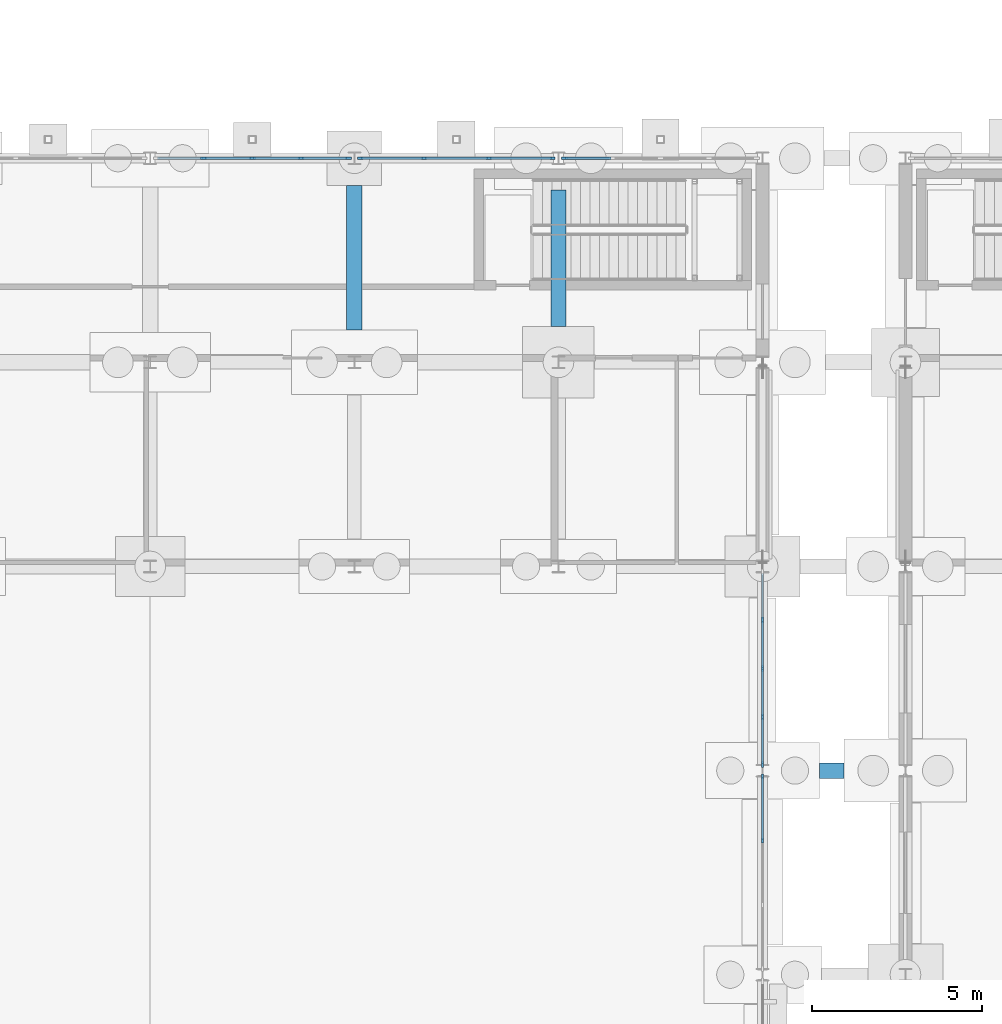
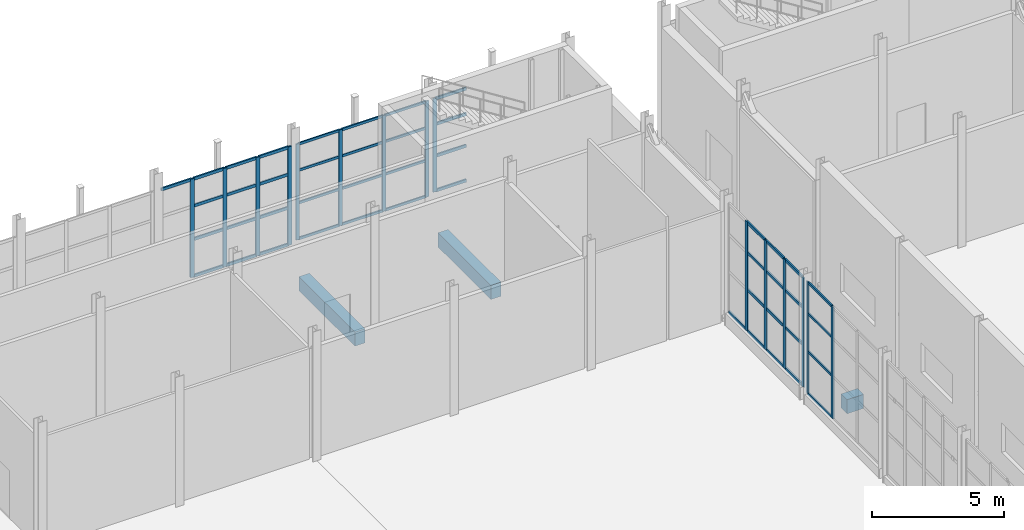
# One storey, part 36 of 120: 61 members, 3 beams, 5 elements without a shape of their own.
"""IFC4 building model written with IfcOpenShell, lengths in metres."""

from ifc_helpers import new_model, si_unit, direction, frame, origin, origin_2d, place, context, subcontext, project, spatial, rectangle, extrude, material, material_profile, profile_set, type_object, element, aggregate, save


model = new_model("IFC4")

# Units and contexts
model_context = context("Model", 3, precision=1e-05, world=origin(), true_north=direction((0.0, 1.0)))
body_context = subcontext(model_context, "Body", "Model", "MODEL_VIEW")
ifc_project = project(units=[si_unit("LENGTHUNIT", "METRE"), si_unit("AREAUNIT", "SQUARE_METRE"), si_unit("VOLUMEUNIT", "CUBIC_METRE"), si_unit("PLANEANGLEUNIT", "RADIAN"), si_unit("MASSUNIT", "GRAM", prefix="KILO")], contexts=[model_context])

# Site, building, storey
site_placement = place(None, origin())
site = spatial("IfcSite", under=ifc_project, at=site_placement, CompositionType="ELEMENT")
building_placement = place(site_placement, origin())
building = spatial("IfcBuilding", under=site, at=building_placement, Name="Siltcreek Boulevard Central Fire Station", CompositionType="ELEMENT")
storey_placement = place(building_placement, origin())
storey = spatial("IfcBuildingStorey", under=building, at=storey_placement, Name="L01", CompositionType="ELEMENT", Elevation=0.0)

# Curtain wall, members
ifc_material_1 = material(Name="Anodized aluminum and low-E insulated glazing", Category="aluminium")
curtain_wall_type_1 = type_object("IfcCurtainWallType", Name="CW_SYS_04", PredefinedType="USERDEFINED", material=ifc_material_1)
curtain_wall_1_placement = place(storey_placement, origin())
curtain_wall_1 = element("IfcCurtainWall", 1, at=curtain_wall_1_placement, inside=storey, type_object=curtain_wall_type_1, Name="L01 V4 unitised curtain wall CW-093", ObjectType="CURTAIN WALL", PredefinedType="USERDEFINED")
ifc_material_2 = material(Name="Anodized 6063-T6 aluminum framing", Category="aluminium")
ifc_material_profile_1 = material_profile(ifc_material_2, rectangle(XDim=0.06005859375, YDim=0.14990234375, at=origin_2d()), Name="MULL60X150")
ifc_profile_set_1 = profile_set([ifc_material_profile_1], Name="Anodized 6063-T6 aluminum framing")
member_type_1 = type_object("IfcMemberType", Name="CWM_60X150", PredefinedType="MULLION", material=ifc_profile_set_1)
member_1_placement = place(storey_placement, frame((31.625, 54.0, 0.679931640625), z_axis=(0.0, 0.0, 1.0), x_axis=(0.0, -1.0, 0.0)))
member_1 = element("IfcMember", 2, at=member_1_placement, type_object=member_type_1, Name="CW-093 mullion 1", PredefinedType="MULLION", context=body_context, shape_type="SweptSolid", body=[
    extrude(rectangle(XDim=0.06005859375, YDim=0.14990234375, at=origin_2d()), origin(), (0.0, 0.0, 1.0), 4.43310546875),
])
member_2_placement = place(storey_placement, frame((29.751708984375, 54.0, 0.679931640625), z_axis=(0.0, 0.0, 1.0), x_axis=(0.0, -1.0, 0.0)))
member_2 = element("IfcMember", 3, at=member_2_placement, type_object=member_type_1, Name="CW-093 mullion 2", PredefinedType="MULLION", context=body_context, shape_type="SweptSolid", body=[
    extrude(rectangle(XDim=0.06005859375, YDim=0.14990234375, at=origin_2d()), origin(), (0.0, 0.0, 1.0), 4.43310546875),
])
member_3_placement = place(storey_placement, frame((27.848388671875, 54.0, 0.679931640625), z_axis=(0.0, 0.0, 1.0), x_axis=(0.0, -1.0, 0.0)))
member_3 = element("IfcMember", 4, at=member_3_placement, type_object=member_type_1, Name="CW-093 mullion 3", PredefinedType="MULLION", context=body_context, shape_type="SweptSolid", body=[
    extrude(rectangle(XDim=0.06005859375, YDim=0.14990234375, at=origin_2d()), origin(), (0.0, 0.0, 1.0), 4.43310546875),
])
member_4_placement = place(storey_placement, frame((25.97509765625, 54.0, 0.679931640625), z_axis=(0.0, 0.0, 1.0), x_axis=(0.0, -1.0, 0.0)))
member_4 = element("IfcMember", 5, at=member_4_placement, type_object=member_type_1, Name="CW-093 mullion 4", PredefinedType="MULLION", context=body_context, shape_type="SweptSolid", body=[
    extrude(rectangle(XDim=0.06005859375, YDim=0.14990234375, at=origin_2d()), origin(), (0.0, 0.0, 1.0), 4.43310546875),
])

curtain_wall_type_2 = type_object("IfcCurtainWallType", Name="CW_SYS_08", PredefinedType="USERDEFINED", material=ifc_material_1)
curtain_wall_2_placement = place(storey_placement, origin())
curtain_wall_2 = element("IfcCurtainWall", 6, at=curtain_wall_2_placement, inside=storey, type_object=curtain_wall_type_2, Name="L01 V4 unitised curtain wall CW-097", ObjectType="CURTAIN WALL", PredefinedType="USERDEFINED")
member_5_placement = place(storey_placement, frame((37.800048828125, 33.95166015625, 0.43994140625), z_axis=(0.0, 0.0, 1.0), x_axis=(-1.0, 0.0, 0.0)))
member_5 = element("IfcMember", 7, at=member_5_placement, type_object=member_type_1, Name="CW-097 mullion 3", PredefinedType="MULLION", context=body_context, shape_type="SweptSolid", body=[
    extrude(rectangle(XDim=0.06005859375, YDim=0.14990234375, at=origin_2d()), origin(), (0.0, 0.0, 1.0), 5.178955078125),
])
member_6_placement = place(storey_placement, frame((37.800048828125, 35.824951171875, 0.43994140625), z_axis=(0.0, 0.0, 1.0), x_axis=(-1.0, 0.0, 0.0)))
member_6 = element("IfcMember", 8, at=member_6_placement, type_object=member_type_1, Name="CW-097 mullion 4", PredefinedType="MULLION", context=body_context, shape_type="SweptSolid", body=[
    extrude(rectangle(XDim=0.06005859375, YDim=0.14990234375, at=origin_2d()), origin(), (0.0, 0.0, 1.0), 5.178955078125),
])

curtain_wall_type_3 = type_object("IfcCurtainWallType", Name="CW_SYS_03", PredefinedType="USERDEFINED", material=ifc_material_1)
curtain_wall_3_placement = place(storey_placement, origin())
curtain_wall_3 = element("IfcCurtainWall", 9, at=curtain_wall_3_placement, inside=storey, type_object=curtain_wall_type_3, Name="L01 V4 unitised curtain wall CW-092", ObjectType="CURTAIN WALL", PredefinedType="USERDEFINED")
ifc_material_profile_2 = material_profile(ifc_material_2, rectangle(XDim=0.06494140625, YDim=0.175048828125, at=origin_2d()), Name="MULL65X175")
ifc_profile_set_2 = profile_set([ifc_material_profile_2], Name="Anodized 6063-T6 aluminum framing")
member_type_2 = type_object("IfcMemberType", Name="CWM_65X175", PredefinedType="MULLION", material=ifc_profile_set_2)
member_7_placement = place(storey_placement, frame((25.62255859375, 54.0, 0.56005859375), z_axis=(0.0, 0.0, 1.0), x_axis=(0.0, -1.0, 0.0)))
member_7 = element("IfcMember", 10, at=member_7_placement, type_object=member_type_2, Name="CW-092 mullion 1", PredefinedType="MULLION", context=body_context, shape_type="SweptSolid", body=[
    extrude(rectangle(XDim=0.06494140625, YDim=0.175048828125, at=origin_2d()), origin(), (0.0, 0.0, 1.0), 4.552978515625),
])
member_8_placement = place(storey_placement, frame((24.2275390625, 54.0, 0.56005859375), z_axis=(0.0, 0.0, 1.0), x_axis=(0.0, -1.0, 0.0)))
member_8 = element("IfcMember", 11, at=member_8_placement, type_object=member_type_2, Name="CW-092 mullion 2", PredefinedType="MULLION", context=body_context, shape_type="SweptSolid", body=[
    extrude(rectangle(XDim=0.06494140625, YDim=0.175048828125, at=origin_2d()), origin(), (0.0, 0.0, 1.0), 4.552978515625),
])
member_9_placement = place(storey_placement, frame((22.800048828125, 54.0, 0.56005859375), z_axis=(0.0, 0.0, 1.0), x_axis=(0.0, -1.0, 0.0)))
member_9 = element("IfcMember", 12, at=member_9_placement, type_object=member_type_2, Name="CW-092 mullion 3", PredefinedType="MULLION", context=body_context, shape_type="SweptSolid", body=[
    extrude(rectangle(XDim=0.06494140625, YDim=0.175048828125, at=origin_2d()), origin(), (0.0, 0.0, 1.0), 4.552978515625),
])
member_10_placement = place(storey_placement, frame((21.37255859375, 54.0, 0.56005859375), z_axis=(0.0, 0.0, 1.0), x_axis=(0.0, -1.0, 0.0)))
member_10 = element("IfcMember", 13, at=member_10_placement, type_object=member_type_2, Name="CW-092 mullion 4", PredefinedType="MULLION", context=body_context, shape_type="SweptSolid", body=[
    extrude(rectangle(XDim=0.06494140625, YDim=0.175048828125, at=origin_2d()), origin(), (0.0, 0.0, 1.0), 4.552978515625),
])

# Curtain wall, member
curtain_wall_type_4 = type_object("IfcCurtainWallType", Name="CW_SYS_05", PredefinedType="USERDEFINED", material=ifc_material_1)
curtain_wall_4_placement = place(storey_placement, origin())
curtain_wall_4 = element("IfcCurtainWall", 14, at=curtain_wall_4_placement, inside=storey, type_object=curtain_wall_type_4, Name="L01 V4 unitised curtain wall CW-094", ObjectType="CURTAIN WALL", PredefinedType="USERDEFINED")
member_11_placement = place(storey_placement, frame((31.9775390625, 54.0, 0.800048828125), z_axis=(0.0, 0.0, 1.0), x_axis=(0.0, -1.0, 0.0)))
member_11 = element("IfcMember", 15, at=member_11_placement, type_object=member_type_2, Name="CW-094 mullion 5", PredefinedType="MULLION", context=body_context, shape_type="SweptSolid", body=[
    extrude(rectangle(XDim=0.06494140625, YDim=0.175048828125, at=origin_2d()), origin(), (0.0, 0.0, 1.0), 4.31298828125),
])

# Curtain wall, members
curtain_wall_type_5 = type_object("IfcCurtainWallType", Name="CW_SYS_09", PredefinedType="USERDEFINED", material=ifc_material_1)
curtain_wall_5_placement = place(storey_placement, origin())
curtain_wall_5 = element("IfcCurtainWall", 16, at=curtain_wall_5_placement, inside=storey, type_object=curtain_wall_type_5, Name="L01 V4 unitised curtain wall CW-098", ObjectType="CURTAIN WALL", PredefinedType="USERDEFINED")
member_12_placement = place(storey_placement, frame((37.800048828125, 36.177490234375, 0.56005859375), z_axis=(0.0, 0.0, 1.0), x_axis=(-1.0, 0.0, 0.0)))
member_12 = element("IfcMember", 17, at=member_12_placement, type_object=member_type_2, Name="CW-098 mullion 1", PredefinedType="MULLION", context=body_context, shape_type="SweptSolid", body=[
    extrude(rectangle(XDim=0.06494140625, YDim=0.175048828125, at=origin_2d()), origin(), (0.0, 0.0, 1.0), 5.058837890625),
])
member_13_placement = place(storey_placement, frame((37.800048828125, 37.572509765625, 0.56005859375), z_axis=(0.0, 0.0, 1.0), x_axis=(-1.0, 0.0, 0.0)))
member_13 = element("IfcMember", 18, at=member_13_placement, type_object=member_type_2, Name="CW-098 mullion 2", PredefinedType="MULLION", context=body_context, shape_type="SweptSolid", body=[
    extrude(rectangle(XDim=0.06494140625, YDim=0.175048828125, at=origin_2d()), origin(), (0.0, 0.0, 1.0), 5.058837890625),
])
member_14_placement = place(storey_placement, frame((37.800048828125, 39.0, 0.56005859375), z_axis=(0.0, 0.0, 1.0), x_axis=(-1.0, 0.0, 0.0)))
member_14 = element("IfcMember", 19, at=member_14_placement, type_object=member_type_2, Name="CW-098 mullion 3", PredefinedType="MULLION", context=body_context, shape_type="SweptSolid", body=[
    extrude(rectangle(XDim=0.06494140625, YDim=0.175048828125, at=origin_2d()), origin(), (0.0, 0.0, 1.0), 5.058837890625),
])
member_15_placement = place(storey_placement, frame((37.800048828125, 40.427490234375, 0.56005859375), z_axis=(0.0, 0.0, 1.0), x_axis=(-1.0, 0.0, 0.0)))
member_15 = element("IfcMember", 20, at=member_15_placement, type_object=member_type_2, Name="CW-098 mullion 4", PredefinedType="MULLION", context=body_context, shape_type="SweptSolid", body=[
    extrude(rectangle(XDim=0.06494140625, YDim=0.175048828125, at=origin_2d()), origin(), (0.0, 0.0, 1.0), 5.058837890625),
])

# Member
ifc_material_profile_3 = material_profile(ifc_material_2, rectangle(XDim=0.06005859375, YDim=0.114990234375, at=origin_2d()), Name="TRAN60X115")
ifc_profile_set_3 = profile_set([ifc_material_profile_3], Name="Anodized 6063-T6 aluminum framing")
member_type_3 = type_object("IfcMemberType", Name="CWT_60X115", PredefinedType="USERDEFINED", material=ifc_profile_set_3)
member_16_placement = place(storey_placement, frame((31.594970703125, 54.0, 0.7099609375), z_axis=(-1.0, 0.0, 0.0), x_axis=(0.0, -1.0, 0.0)))
member_16 = element("IfcMember", 21, at=member_16_placement, type_object=member_type_3, Name="CW-093 transom 1.1", ObjectType="TRANSOM", PredefinedType="USERDEFINED", context=body_context, shape_type="SweptSolid", body=[
    extrude(rectangle(XDim=0.06005859375, YDim=0.114990234375, at=origin_2d()), origin(), (0.0, 0.0, 1.0), 1.813232421875),
])

member_17_placement = place(storey_placement, frame((31.594970703125, 54.0, 2.364501953125), z_axis=(-1.0, 0.0, 0.0), x_axis=(0.0, -1.0, 0.0)))
member_17 = element("IfcMember", 22, at=member_17_placement, type_object=member_type_3, Name="CW-093 transom 1.2", ObjectType="TRANSOM", PredefinedType="USERDEFINED", context=body_context, shape_type="SweptSolid", body=[
    extrude(rectangle(XDim=0.06005859375, YDim=0.114990234375, at=origin_2d()), origin(), (0.0, 0.0, 1.0), 1.813232421875),
])

member_18_placement = place(storey_placement, frame((31.594970703125, 54.0, 3.871826171875), z_axis=(-1.0, 0.0, 0.0), x_axis=(0.0, -1.0, 0.0)))
member_18 = element("IfcMember", 23, at=member_18_placement, type_object=member_type_3, Name="CW-093 transom 1.3", ObjectType="TRANSOM", PredefinedType="USERDEFINED", context=body_context, shape_type="SweptSolid", body=[
    extrude(rectangle(XDim=0.06005859375, YDim=0.114990234375, at=origin_2d()), origin(), (0.0, 0.0, 1.0), 1.813232421875),
])

member_19_placement = place(storey_placement, frame((31.594970703125, 54.0, 5.0830078125), z_axis=(-1.0, 0.0, 0.0), x_axis=(0.0, -1.0, 0.0)))
member_19 = element("IfcMember", 24, at=member_19_placement, type_object=member_type_3, Name="CW-093 transom 1.4", ObjectType="TRANSOM", PredefinedType="USERDEFINED", context=body_context, shape_type="SweptSolid", body=[
    extrude(rectangle(XDim=0.06005859375, YDim=0.114990234375, at=origin_2d()), origin(), (0.0, 0.0, 1.0), 1.813232421875),
])

member_20_placement = place(storey_placement, frame((29.7216796875, 54.0, 0.7099609375), z_axis=(-1.0, 0.0, 0.0), x_axis=(0.0, -1.0, 0.0)))
member_20 = element("IfcMember", 25, at=member_20_placement, type_object=member_type_3, Name="CW-093 transom 2.1", ObjectType="TRANSOM", PredefinedType="USERDEFINED", context=body_context, shape_type="SweptSolid", body=[
    extrude(rectangle(XDim=0.06005859375, YDim=0.114990234375, at=origin_2d()), origin(), (0.0, 0.0, 1.0), 1.84326171875),
])

member_21_placement = place(storey_placement, frame((29.7216796875, 54.0, 2.364501953125), z_axis=(-1.0, 0.0, 0.0), x_axis=(0.0, -1.0, 0.0)))
member_21 = element("IfcMember", 26, at=member_21_placement, type_object=member_type_3, Name="CW-093 transom 2.2", ObjectType="TRANSOM", PredefinedType="USERDEFINED", context=body_context, shape_type="SweptSolid", body=[
    extrude(rectangle(XDim=0.06005859375, YDim=0.114990234375, at=origin_2d()), origin(), (0.0, 0.0, 1.0), 1.84326171875),
])

member_22_placement = place(storey_placement, frame((29.7216796875, 54.0, 3.871826171875), z_axis=(-1.0, 0.0, 0.0), x_axis=(0.0, -1.0, 0.0)))
member_22 = element("IfcMember", 27, at=member_22_placement, type_object=member_type_3, Name="CW-093 transom 2.3", ObjectType="TRANSOM", PredefinedType="USERDEFINED", context=body_context, shape_type="SweptSolid", body=[
    extrude(rectangle(XDim=0.06005859375, YDim=0.114990234375, at=origin_2d()), origin(), (0.0, 0.0, 1.0), 1.84326171875),
])

member_23_placement = place(storey_placement, frame((29.7216796875, 54.0, 5.0830078125), z_axis=(-1.0, 0.0, 0.0), x_axis=(0.0, -1.0, 0.0)))
member_23 = element("IfcMember", 28, at=member_23_placement, type_object=member_type_3, Name="CW-093 transom 2.4", ObjectType="TRANSOM", PredefinedType="USERDEFINED", context=body_context, shape_type="SweptSolid", body=[
    extrude(rectangle(XDim=0.06005859375, YDim=0.114990234375, at=origin_2d()), origin(), (0.0, 0.0, 1.0), 1.84326171875),
])

member_24_placement = place(storey_placement, frame((27.818359375, 54.0, 0.7099609375), z_axis=(-1.0, 0.0, 0.0), x_axis=(0.0, -1.0, 0.0)))
member_24 = element("IfcMember", 29, at=member_24_placement, type_object=member_type_3, Name="CW-093 transom 3.1", ObjectType="TRANSOM", PredefinedType="USERDEFINED", context=body_context, shape_type="SweptSolid", body=[
    extrude(rectangle(XDim=0.06005859375, YDim=0.114990234375, at=origin_2d()), origin(), (0.0, 0.0, 1.0), 1.8134765625),
])

member_25_placement = place(storey_placement, frame((27.818359375, 54.0, 2.364501953125), z_axis=(-1.0, 0.0, 0.0), x_axis=(0.0, -1.0, 0.0)))
member_25 = element("IfcMember", 30, at=member_25_placement, type_object=member_type_3, Name="CW-093 transom 3.2", ObjectType="TRANSOM", PredefinedType="USERDEFINED", context=body_context, shape_type="SweptSolid", body=[
    extrude(rectangle(XDim=0.06005859375, YDim=0.114990234375, at=origin_2d()), origin(), (0.0, 0.0, 1.0), 1.8134765625),
])

member_26_placement = place(storey_placement, frame((27.818359375, 54.0, 3.871826171875), z_axis=(-1.0, 0.0, 0.0), x_axis=(0.0, -1.0, 0.0)))
member_26 = element("IfcMember", 31, at=member_26_placement, type_object=member_type_3, Name="CW-093 transom 3.3", ObjectType="TRANSOM", PredefinedType="USERDEFINED", context=body_context, shape_type="SweptSolid", body=[
    extrude(rectangle(XDim=0.06005859375, YDim=0.114990234375, at=origin_2d()), origin(), (0.0, 0.0, 1.0), 1.8134765625),
])

member_27_placement = place(storey_placement, frame((27.818359375, 54.0, 5.0830078125), z_axis=(-1.0, 0.0, 0.0), x_axis=(0.0, -1.0, 0.0)))
member_27 = element("IfcMember", 32, at=member_27_placement, type_object=member_type_3, Name="CW-093 transom 3.4", ObjectType="TRANSOM", PredefinedType="USERDEFINED", context=body_context, shape_type="SweptSolid", body=[
    extrude(rectangle(XDim=0.06005859375, YDim=0.114990234375, at=origin_2d()), origin(), (0.0, 0.0, 1.0), 1.8134765625),
])

aggregate(curtain_wall_1, [member_1, member_2, member_3, member_4, member_16, member_17, member_18, member_19, member_20, member_21, member_22, member_23, member_24, member_25, member_26, member_27])

member_28_placement = place(storey_placement, frame((37.800048828125, 33.981689453125, 0.469970703125), z_axis=(0.0, 1.0, 0.0), x_axis=(-1.0, 0.0, 0.0)))
member_28 = element("IfcMember", 33, at=member_28_placement, type_object=member_type_3, Name="CW-097 transom 3.1", ObjectType="TRANSOM", PredefinedType="USERDEFINED", context=body_context, shape_type="SweptSolid", body=[
    extrude(rectangle(XDim=0.06005859375, YDim=0.114990234375, at=origin_2d()), origin(), (0.0, 0.0, 1.0), 1.813232421875),
])

member_29_placement = place(storey_placement, frame((37.800048828125, 33.981689453125, 2.407958984375), z_axis=(0.0, 1.0, 0.0), x_axis=(-1.0, 0.0, 0.0)))
member_29 = element("IfcMember", 34, at=member_29_placement, type_object=member_type_3, Name="CW-097 transom 3.2", ObjectType="TRANSOM", PredefinedType="USERDEFINED", context=body_context, shape_type="SweptSolid", body=[
    extrude(rectangle(XDim=0.06005859375, YDim=0.114990234375, at=origin_2d()), origin(), (0.0, 0.0, 1.0), 1.813232421875),
])

member_30_placement = place(storey_placement, frame((37.800048828125, 33.981689453125, 4.1689453125), z_axis=(0.0, 1.0, 0.0), x_axis=(-1.0, 0.0, 0.0)))
member_30 = element("IfcMember", 35, at=member_30_placement, type_object=member_type_3, Name="CW-097 transom 3.3", ObjectType="TRANSOM", PredefinedType="USERDEFINED", context=body_context, shape_type="SweptSolid", body=[
    extrude(rectangle(XDim=0.06005859375, YDim=0.114990234375, at=origin_2d()), origin(), (0.0, 0.0, 1.0), 1.813232421875),
])

member_31_placement = place(storey_placement, frame((37.800048828125, 33.981689453125, 5.589111328125), z_axis=(0.0, 1.0, 0.0), x_axis=(-1.0, 0.0, 0.0)))
member_31 = element("IfcMember", 36, at=member_31_placement, type_object=member_type_3, Name="CW-097 transom 3.4", ObjectType="TRANSOM", PredefinedType="USERDEFINED", context=body_context, shape_type="SweptSolid", body=[
    extrude(rectangle(XDim=0.06005859375, YDim=0.114990234375, at=origin_2d()), origin(), (0.0, 0.0, 1.0), 1.813232421875),
])

aggregate(curtain_wall_2, [member_5, member_6, member_28, member_29, member_30, member_31])

ifc_material_profile_4 = material_profile(ifc_material_2, rectangle(XDim=0.06494140625, YDim=0.135009765625, at=origin_2d()), Name="TRAN65X135")
ifc_profile_set_4 = profile_set([ifc_material_profile_4], Name="Anodized 6063-T6 aluminum framing")
member_type_4 = type_object("IfcMemberType", Name="CWT_65X135", PredefinedType="USERDEFINED", material=ifc_profile_set_4)
member_32_placement = place(storey_placement, frame((25.590087890625, 54.0, 0.592529296875), z_axis=(-1.0, 0.0, 0.0), x_axis=(0.0, -1.0, 0.0)))
member_32 = element("IfcMember", 37, at=member_32_placement, type_object=member_type_4, Name="CW-092 transom 1.1", ObjectType="TRANSOM", PredefinedType="USERDEFINED", context=body_context, shape_type="SweptSolid", body=[
    extrude(rectangle(XDim=0.06494140625, YDim=0.135009765625, at=origin_2d()), origin(), (0.0, 0.0, 1.0), 1.330078125),
])

member_33_placement = place(storey_placement, frame((25.590087890625, 54.0, 2.2900390625), z_axis=(-1.0, 0.0, 0.0), x_axis=(0.0, -1.0, 0.0)))
member_33 = element("IfcMember", 38, at=member_33_placement, type_object=member_type_4, Name="CW-092 transom 1.2", ObjectType="TRANSOM", PredefinedType="USERDEFINED", context=body_context, shape_type="SweptSolid", body=[
    extrude(rectangle(XDim=0.06494140625, YDim=0.135009765625, at=origin_2d()), origin(), (0.0, 0.0, 1.0), 1.330078125),
])

member_34_placement = place(storey_placement, frame((25.590087890625, 54.0, 3.838134765625), z_axis=(-1.0, 0.0, 0.0), x_axis=(0.0, -1.0, 0.0)))
member_34 = element("IfcMember", 39, at=member_34_placement, type_object=member_type_4, Name="CW-092 transom 1.3", ObjectType="TRANSOM", PredefinedType="USERDEFINED", context=body_context, shape_type="SweptSolid", body=[
    extrude(rectangle(XDim=0.06494140625, YDim=0.135009765625, at=origin_2d()), origin(), (0.0, 0.0, 1.0), 1.330078125),
])

member_35_placement = place(storey_placement, frame((25.590087890625, 54.0, 5.08056640625), z_axis=(-1.0, 0.0, 0.0), x_axis=(0.0, -1.0, 0.0)))
member_35 = element("IfcMember", 40, at=member_35_placement, type_object=member_type_4, Name="CW-092 transom 1.4", ObjectType="TRANSOM", PredefinedType="USERDEFINED", context=body_context, shape_type="SweptSolid", body=[
    extrude(rectangle(XDim=0.06494140625, YDim=0.135009765625, at=origin_2d()), origin(), (0.0, 0.0, 1.0), 1.330078125),
])

member_36_placement = place(storey_placement, frame((24.195068359375, 54.0, 0.592529296875), z_axis=(-1.0, 0.0, 0.0), x_axis=(0.0, -1.0, 0.0)))
member_36 = element("IfcMember", 41, at=member_36_placement, type_object=member_type_4, Name="CW-092 transom 2.1", ObjectType="TRANSOM", PredefinedType="USERDEFINED", context=body_context, shape_type="SweptSolid", body=[
    extrude(rectangle(XDim=0.06494140625, YDim=0.135009765625, at=origin_2d()), origin(), (0.0, 0.0, 1.0), 1.362548828125),
])

member_37_placement = place(storey_placement, frame((24.195068359375, 54.0, 2.2900390625), z_axis=(-1.0, 0.0, 0.0), x_axis=(0.0, -1.0, 0.0)))
member_37 = element("IfcMember", 42, at=member_37_placement, type_object=member_type_4, Name="CW-092 transom 2.2", ObjectType="TRANSOM", PredefinedType="USERDEFINED", context=body_context, shape_type="SweptSolid", body=[
    extrude(rectangle(XDim=0.06494140625, YDim=0.135009765625, at=origin_2d()), origin(), (0.0, 0.0, 1.0), 1.362548828125),
])

member_38_placement = place(storey_placement, frame((24.195068359375, 54.0, 3.838134765625), z_axis=(-1.0, 0.0, 0.0), x_axis=(0.0, -1.0, 0.0)))
member_38 = element("IfcMember", 43, at=member_38_placement, type_object=member_type_4, Name="CW-092 transom 2.3", ObjectType="TRANSOM", PredefinedType="USERDEFINED", context=body_context, shape_type="SweptSolid", body=[
    extrude(rectangle(XDim=0.06494140625, YDim=0.135009765625, at=origin_2d()), origin(), (0.0, 0.0, 1.0), 1.362548828125),
])

member_39_placement = place(storey_placement, frame((24.195068359375, 54.0, 5.08056640625), z_axis=(-1.0, 0.0, 0.0), x_axis=(0.0, -1.0, 0.0)))
member_39 = element("IfcMember", 44, at=member_39_placement, type_object=member_type_4, Name="CW-092 transom 2.4", ObjectType="TRANSOM", PredefinedType="USERDEFINED", context=body_context, shape_type="SweptSolid", body=[
    extrude(rectangle(XDim=0.06494140625, YDim=0.135009765625, at=origin_2d()), origin(), (0.0, 0.0, 1.0), 1.362548828125),
])

member_40_placement = place(storey_placement, frame((22.767578125, 54.0, 0.592529296875), z_axis=(-1.0, 0.0, 0.0), x_axis=(0.0, -1.0, 0.0)))
member_40 = element("IfcMember", 45, at=member_40_placement, type_object=member_type_4, Name="CW-092 transom 3.1", ObjectType="TRANSOM", PredefinedType="USERDEFINED", context=body_context, shape_type="SweptSolid", body=[
    extrude(rectangle(XDim=0.06494140625, YDim=0.135009765625, at=origin_2d()), origin(), (0.0, 0.0, 1.0), 1.362548828125),
])

member_41_placement = place(storey_placement, frame((22.767578125, 54.0, 2.2900390625), z_axis=(-1.0, 0.0, 0.0), x_axis=(0.0, -1.0, 0.0)))
member_41 = element("IfcMember", 46, at=member_41_placement, type_object=member_type_4, Name="CW-092 transom 3.2", ObjectType="TRANSOM", PredefinedType="USERDEFINED", context=body_context, shape_type="SweptSolid", body=[
    extrude(rectangle(XDim=0.06494140625, YDim=0.135009765625, at=origin_2d()), origin(), (0.0, 0.0, 1.0), 1.362548828125),
])

member_42_placement = place(storey_placement, frame((22.767578125, 54.0, 3.838134765625), z_axis=(-1.0, 0.0, 0.0), x_axis=(0.0, -1.0, 0.0)))
member_42 = element("IfcMember", 47, at=member_42_placement, type_object=member_type_4, Name="CW-092 transom 3.3", ObjectType="TRANSOM", PredefinedType="USERDEFINED", context=body_context, shape_type="SweptSolid", body=[
    extrude(rectangle(XDim=0.06494140625, YDim=0.135009765625, at=origin_2d()), origin(), (0.0, 0.0, 1.0), 1.362548828125),
])

member_43_placement = place(storey_placement, frame((22.767578125, 54.0, 5.08056640625), z_axis=(-1.0, 0.0, 0.0), x_axis=(0.0, -1.0, 0.0)))
member_43 = element("IfcMember", 48, at=member_43_placement, type_object=member_type_4, Name="CW-092 transom 3.4", ObjectType="TRANSOM", PredefinedType="USERDEFINED", context=body_context, shape_type="SweptSolid", body=[
    extrude(rectangle(XDim=0.06494140625, YDim=0.135009765625, at=origin_2d()), origin(), (0.0, 0.0, 1.0), 1.362548828125),
])

member_44_placement = place(storey_placement, frame((21.340087890625, 54.0, 5.08056640625), z_axis=(-1.0, 0.0, 0.0), x_axis=(0.0, -1.0, 0.0)))
member_44 = element("IfcMember", 49, at=member_44_placement, type_object=member_type_4, Name="CW-092 transom 4.4", ObjectType="TRANSOM", PredefinedType="USERDEFINED", context=body_context, shape_type="SweptSolid", body=[
    extrude(rectangle(XDim=0.06494140625, YDim=0.135009765625, at=origin_2d()), origin(), (0.0, 0.0, 1.0), 1.330078125),
])

aggregate(curtain_wall_3, [member_7, member_8, member_9, member_10, member_32, member_33, member_34, member_35, member_36, member_37, member_38, member_39, member_40, member_41, member_42, member_43, member_44])

member_45_placement = place(storey_placement, frame((33.340087890625, 54.0, 0.83251953125), z_axis=(-1.0, 0.0, 0.0), x_axis=(0.0, -1.0, 0.0)))
member_45 = element("IfcMember", 50, at=member_45_placement, type_object=member_type_4, Name="CW-094 transom 4.1", ObjectType="TRANSOM", PredefinedType="USERDEFINED", context=body_context, shape_type="SweptSolid", body=[
    extrude(rectangle(XDim=0.06494140625, YDim=0.135009765625, at=origin_2d()), origin(), (0.0, 0.0, 1.0), 1.330078125),
])

member_46_placement = place(storey_placement, frame((33.340087890625, 54.0, 2.43896484375), z_axis=(-1.0, 0.0, 0.0), x_axis=(0.0, -1.0, 0.0)))
member_46 = element("IfcMember", 51, at=member_46_placement, type_object=member_type_4, Name="CW-094 transom 4.2", ObjectType="TRANSOM", PredefinedType="USERDEFINED", context=body_context, shape_type="SweptSolid", body=[
    extrude(rectangle(XDim=0.06494140625, YDim=0.135009765625, at=origin_2d()), origin(), (0.0, 0.0, 1.0), 1.330078125),
])

member_47_placement = place(storey_placement, frame((33.340087890625, 54.0, 3.905517578125), z_axis=(-1.0, 0.0, 0.0), x_axis=(0.0, -1.0, 0.0)))
member_47 = element("IfcMember", 52, at=member_47_placement, type_object=member_type_4, Name="CW-094 transom 4.3", ObjectType="TRANSOM", PredefinedType="USERDEFINED", context=body_context, shape_type="SweptSolid", body=[
    extrude(rectangle(XDim=0.06494140625, YDim=0.135009765625, at=origin_2d()), origin(), (0.0, 0.0, 1.0), 1.330078125),
])

member_48_placement = place(storey_placement, frame((33.340087890625, 54.0, 5.08056640625), z_axis=(-1.0, 0.0, 0.0), x_axis=(0.0, -1.0, 0.0)))
member_48 = element("IfcMember", 53, at=member_48_placement, type_object=member_type_4, Name="CW-094 transom 4.4", ObjectType="TRANSOM", PredefinedType="USERDEFINED", context=body_context, shape_type="SweptSolid", body=[
    extrude(rectangle(XDim=0.06494140625, YDim=0.135009765625, at=origin_2d()), origin(), (0.0, 0.0, 1.0), 1.330078125),
])

aggregate(curtain_wall_4, [member_11, member_45, member_46, member_47, member_48])

member_49_placement = place(storey_placement, frame((37.800048828125, 36.2099609375, 0.592529296875), z_axis=(0.0, 1.0, 0.0), x_axis=(-1.0, 0.0, 0.0)))
member_49 = element("IfcMember", 54, at=member_49_placement, type_object=member_type_4, Name="CW-098 transom 1.1", ObjectType="TRANSOM", PredefinedType="USERDEFINED", context=body_context, shape_type="SweptSolid", body=[
    extrude(rectangle(XDim=0.06494140625, YDim=0.135009765625, at=origin_2d()), origin(), (0.0, 0.0, 1.0), 1.330078125),
])

member_50_placement = place(storey_placement, frame((37.800048828125, 36.2099609375, 2.482421875), z_axis=(0.0, 1.0, 0.0), x_axis=(-1.0, 0.0, 0.0)))
member_50 = element("IfcMember", 55, at=member_50_placement, type_object=member_type_4, Name="CW-098 transom 1.2", ObjectType="TRANSOM", PredefinedType="USERDEFINED", context=body_context, shape_type="SweptSolid", body=[
    extrude(rectangle(XDim=0.06494140625, YDim=0.135009765625, at=origin_2d()), origin(), (0.0, 0.0, 1.0), 1.330078125),
])

member_51_placement = place(storey_placement, frame((37.800048828125, 36.2099609375, 4.202392578125), z_axis=(0.0, 1.0, 0.0), x_axis=(-1.0, 0.0, 0.0)))
member_51 = element("IfcMember", 56, at=member_51_placement, type_object=member_type_4, Name="CW-098 transom 1.3", ObjectType="TRANSOM", PredefinedType="USERDEFINED", context=body_context, shape_type="SweptSolid", body=[
    extrude(rectangle(XDim=0.06494140625, YDim=0.135009765625, at=origin_2d()), origin(), (0.0, 0.0, 1.0), 1.330078125),
])

member_52_placement = place(storey_placement, frame((37.800048828125, 36.2099609375, 5.58642578125), z_axis=(0.0, 1.0, 0.0), x_axis=(-1.0, 0.0, 0.0)))
member_52 = element("IfcMember", 57, at=member_52_placement, type_object=member_type_4, Name="CW-098 transom 1.4", ObjectType="TRANSOM", PredefinedType="USERDEFINED", context=body_context, shape_type="SweptSolid", body=[
    extrude(rectangle(XDim=0.06494140625, YDim=0.135009765625, at=origin_2d()), origin(), (0.0, 0.0, 1.0), 1.330078125),
])

member_53_placement = place(storey_placement, frame((37.800048828125, 37.60498046875, 0.592529296875), z_axis=(0.0, 1.0, 0.0), x_axis=(-1.0, 0.0, 0.0)))
member_53 = element("IfcMember", 58, at=member_53_placement, type_object=member_type_4, Name="CW-098 transom 2.1", ObjectType="TRANSOM", PredefinedType="USERDEFINED", context=body_context, shape_type="SweptSolid", body=[
    extrude(rectangle(XDim=0.06494140625, YDim=0.135009765625, at=origin_2d()), origin(), (0.0, 0.0, 1.0), 1.362548828125),
])

member_54_placement = place(storey_placement, frame((37.800048828125, 37.60498046875, 2.482421875), z_axis=(0.0, 1.0, 0.0), x_axis=(-1.0, 0.0, 0.0)))
member_54 = element("IfcMember", 59, at=member_54_placement, type_object=member_type_4, Name="CW-098 transom 2.2", ObjectType="TRANSOM", PredefinedType="USERDEFINED", context=body_context, shape_type="SweptSolid", body=[
    extrude(rectangle(XDim=0.06494140625, YDim=0.135009765625, at=origin_2d()), origin(), (0.0, 0.0, 1.0), 1.362548828125),
])

member_55_placement = place(storey_placement, frame((37.800048828125, 37.60498046875, 4.202392578125), z_axis=(0.0, 1.0, 0.0), x_axis=(-1.0, 0.0, 0.0)))
member_55 = element("IfcMember", 60, at=member_55_placement, type_object=member_type_4, Name="CW-098 transom 2.3", ObjectType="TRANSOM", PredefinedType="USERDEFINED", context=body_context, shape_type="SweptSolid", body=[
    extrude(rectangle(XDim=0.06494140625, YDim=0.135009765625, at=origin_2d()), origin(), (0.0, 0.0, 1.0), 1.362548828125),
])

member_56_placement = place(storey_placement, frame((37.800048828125, 37.60498046875, 5.58642578125), z_axis=(0.0, 1.0, 0.0), x_axis=(-1.0, 0.0, 0.0)))
member_56 = element("IfcMember", 61, at=member_56_placement, type_object=member_type_4, Name="CW-098 transom 2.4", ObjectType="TRANSOM", PredefinedType="USERDEFINED", context=body_context, shape_type="SweptSolid", body=[
    extrude(rectangle(XDim=0.06494140625, YDim=0.135009765625, at=origin_2d()), origin(), (0.0, 0.0, 1.0), 1.362548828125),
])

member_57_placement = place(storey_placement, frame((37.800048828125, 39.032470703125, 0.592529296875), z_axis=(0.0, 1.0, 0.0), x_axis=(-1.0, 0.0, 0.0)))
member_57 = element("IfcMember", 62, at=member_57_placement, type_object=member_type_4, Name="CW-098 transom 3.1", ObjectType="TRANSOM", PredefinedType="USERDEFINED", context=body_context, shape_type="SweptSolid", body=[
    extrude(rectangle(XDim=0.06494140625, YDim=0.135009765625, at=origin_2d()), origin(), (0.0, 0.0, 1.0), 1.362548828125),
])

member_58_placement = place(storey_placement, frame((37.800048828125, 39.032470703125, 2.482421875), z_axis=(0.0, 1.0, 0.0), x_axis=(-1.0, 0.0, 0.0)))
member_58 = element("IfcMember", 63, at=member_58_placement, type_object=member_type_4, Name="CW-098 transom 3.2", ObjectType="TRANSOM", PredefinedType="USERDEFINED", context=body_context, shape_type="SweptSolid", body=[
    extrude(rectangle(XDim=0.06494140625, YDim=0.135009765625, at=origin_2d()), origin(), (0.0, 0.0, 1.0), 1.362548828125),
])

member_59_placement = place(storey_placement, frame((37.800048828125, 39.032470703125, 4.202392578125), z_axis=(0.0, 1.0, 0.0), x_axis=(-1.0, 0.0, 0.0)))
member_59 = element("IfcMember", 64, at=member_59_placement, type_object=member_type_4, Name="CW-098 transom 3.3", ObjectType="TRANSOM", PredefinedType="USERDEFINED", context=body_context, shape_type="SweptSolid", body=[
    extrude(rectangle(XDim=0.06494140625, YDim=0.135009765625, at=origin_2d()), origin(), (0.0, 0.0, 1.0), 1.362548828125),
])

member_60_placement = place(storey_placement, frame((37.800048828125, 39.032470703125, 5.58642578125), z_axis=(0.0, 1.0, 0.0), x_axis=(-1.0, 0.0, 0.0)))
member_60 = element("IfcMember", 65, at=member_60_placement, type_object=member_type_4, Name="CW-098 transom 3.4", ObjectType="TRANSOM", PredefinedType="USERDEFINED", context=body_context, shape_type="SweptSolid", body=[
    extrude(rectangle(XDim=0.06494140625, YDim=0.135009765625, at=origin_2d()), origin(), (0.0, 0.0, 1.0), 1.362548828125),
])

member_61_placement = place(storey_placement, frame((37.800048828125, 40.4599609375, 0.592529296875), z_axis=(0.0, 1.0, 0.0), x_axis=(-1.0, 0.0, 0.0)))
member_61 = element("IfcMember", 66, at=member_61_placement, type_object=member_type_4, Name="CW-098 transom 4.1", ObjectType="TRANSOM", PredefinedType="USERDEFINED", context=body_context, shape_type="SweptSolid", body=[
    extrude(rectangle(XDim=0.06494140625, YDim=0.135009765625, at=origin_2d()), origin(), (0.0, 0.0, 1.0), 1.330078125),
])

aggregate(curtain_wall_5, [member_12, member_13, member_14, member_15, member_49, member_50, member_51, member_52, member_53, member_54, member_55, member_56, member_57, member_58, member_59, member_60, member_61])

# Beams
ifc_material_3 = material(Name="Concrete C35/45", Category="concrete")
ifc_material_profile_5 = material_profile(ifc_material_3, rectangle(XDim=0.449951171875, YDim=0.64990234375, at=origin_2d()), Name="RC450X650")
ifc_profile_set_5 = profile_set([ifc_material_profile_5], Name="Concrete C35/45")
beam_type = type_object("IfcBeamType", Name="GB_RC450X650", PredefinedType="USERDEFINED", material=ifc_profile_set_5)
beam_1_placement = place(storey_placement, frame((39.47705078125, 36.0, -0.735107421875), z_axis=(1.0, 0.0, 0.0), x_axis=(0.0, 1.0, 0.0)))
element("IfcBeam", 67, at=beam_1_placement, inside=storey, type_object=beam_type, Name="Reinforced concrete tie grade beam GB-082", ObjectType="GRADE BEAM", PredefinedType="USERDEFINED", context=body_context, shape_type="SweptSolid", body=[
    extrude(rectangle(XDim=0.449951171875, YDim=0.64990234375, at=origin_2d()), origin(), (0.0, 0.0, 1.0), 0.720947265625),
])
beam_2_placement = place(storey_placement, frame((25.800048828125, 48.951904296875, -0.735107421875), z_axis=(0.0, 1.0, 0.0), x_axis=(-1.0, 0.0, 0.0)))
element("IfcBeam", 68, at=beam_2_placement, inside=storey, type_object=beam_type, Name="Reinforced concrete tie grade beam GB-150", ObjectType="GRADE BEAM", PredefinedType="USERDEFINED", context=body_context, shape_type="SweptSolid", body=[
    extrude(rectangle(XDim=0.449951171875, YDim=0.64990234375, at=origin_2d()), origin(), (0.0, 0.0, 1.0), 4.24609375),
])
beam_3_placement = place(storey_placement, frame((31.800048828125, 49.052001953125, -0.735107421875), z_axis=(0.0, 1.0, 0.0), x_axis=(-1.0, 0.0, 0.0)))
element("IfcBeam", 69, at=beam_3_placement, inside=storey, type_object=beam_type, Name="Reinforced concrete tie grade beam GB-152", ObjectType="GRADE BEAM", PredefinedType="USERDEFINED", context=body_context, shape_type="SweptSolid", body=[
    extrude(rectangle(XDim=0.449951171875, YDim=0.64990234375, at=origin_2d()), origin(), (0.0, 0.0, 1.0), 4.02099609375),
])

save(model, "model.ifc")
